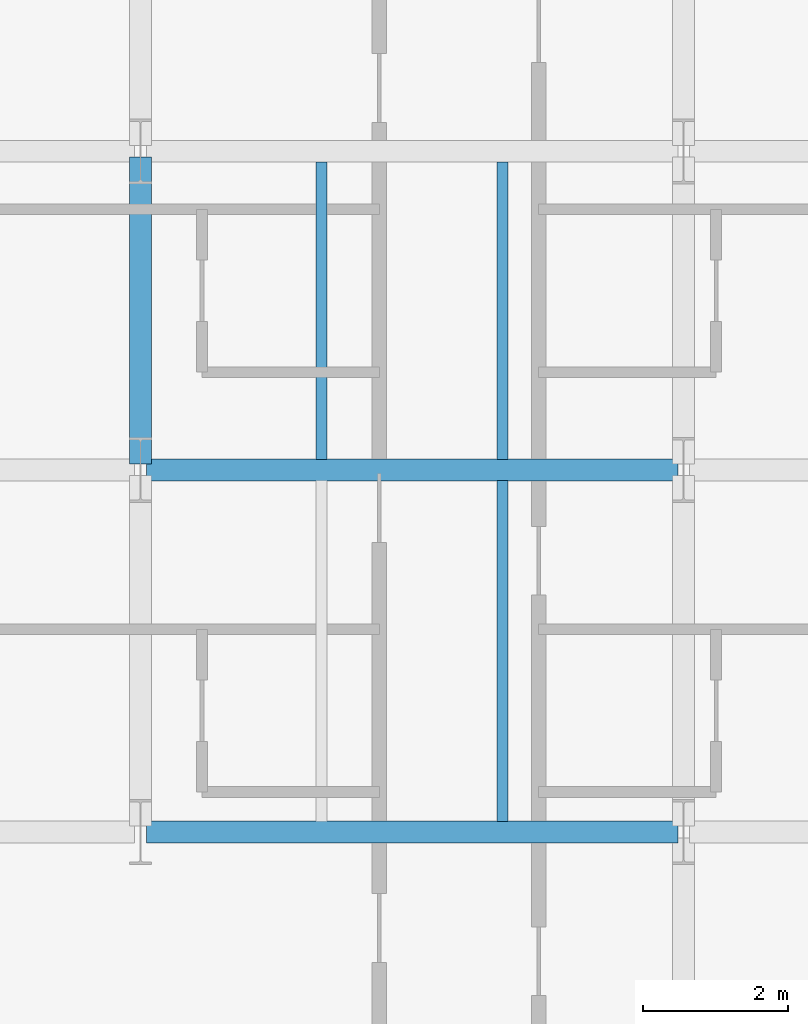
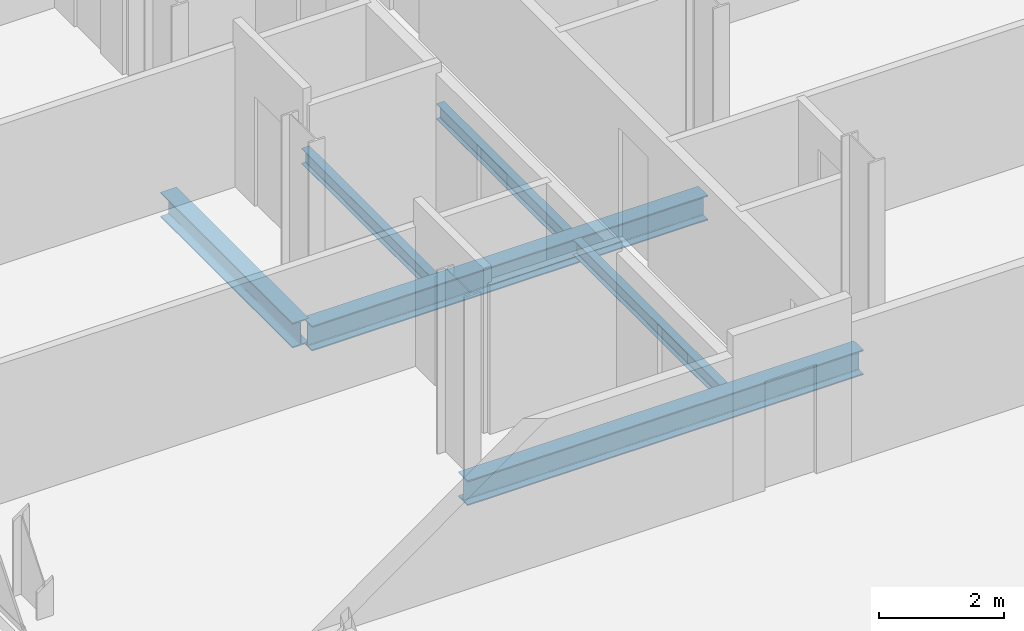
# One storey, part 6 of 33: 6 beams.
"""IFC4 building model written with IfcOpenShell, lengths in metres."""

from ifc_helpers import new_model, si_unit, direction, frame, origin, origin_2d, place, context, subcontext, project, spatial, i_section, extrude, material, material_profile, profile_set, type_object, element, save


model = new_model("IFC4")

# Units and contexts
model_context = context("Model", 3, precision=1e-05, world=origin(), true_north=direction((0.0, 1.0)))
body_context = subcontext(model_context, "Body", "Model", "MODEL_VIEW")
ifc_project = project(units=[si_unit("LENGTHUNIT", "METRE"), si_unit("AREAUNIT", "SQUARE_METRE"), si_unit("VOLUMEUNIT", "CUBIC_METRE"), si_unit("PLANEANGLEUNIT", "RADIAN"), si_unit("MASSUNIT", "GRAM", prefix="KILO")], contexts=[model_context])

# Site, building, storey
site_placement = place(None, origin())
site = spatial("IfcSite", under=ifc_project, at=site_placement, CompositionType="ELEMENT")
building_placement = place(site_placement, origin())
building = spatial("IfcBuilding", under=site, at=building_placement, Name="Catumbela Crestline Tower", CompositionType="ELEMENT")
storey_placement = place(building_placement, frame((0.0, 0.0, 76.2)))
storey = spatial("IfcBuildingStorey", under=building, at=storey_placement, Name="L19", CompositionType="ELEMENT", Elevation=76.2)

# Beams
ifc_material = material(Name="Structural steel S355J2", Category="steel")
ifc_material_profile_1 = material_profile(ifc_material, i_section(OverallWidth=0.3, OverallDepth=0.49, WebThickness=0.012, FlangeThickness=0.023, FilletRadius=0.027, at=origin_2d()), Name="HEA 500")
ifc_profile_set_1 = profile_set([ifc_material_profile_1], Name="Structural steel S355J2")
beam_type_1 = type_object("IfcBeamType", Name="BG-HEA500", PredefinedType="BEAM", material=ifc_profile_set_1)
for number, where, z_axis, x_axis, name in (
    (1, (8.58, 8.6, -0.505), (1.0, 0.0, 0.0), (0.0, 1.0, 0.0), "L19 Beam BM-L19-WEW49"),
    (2, (8.58, 13.6, -0.505), (1.0, 0.0, 0.0), (0.0, 1.0, 0.0), "L19 Beam BM-L19-WEW52"),
):
    element("IfcBeam", number, at=place(storey_placement, frame(where, z_axis=z_axis, x_axis=x_axis)), inside=storey, type_object=beam_type_1, Name=name, PredefinedType="BEAM", context=body_context, shape_type="SweptSolid", body=[
        extrude(i_section(OverallWidth=0.3, OverallDepth=0.49, WebThickness=0.012, FlangeThickness=0.023, FilletRadius=0.027, at=origin_2d()), origin(), (0.0, 0.0, 1.0), 7.34),
    ])
beam_1_placement = place(storey_placement, frame((8.5, 13.68, -0.505), z_axis=(0.0, 1.0, 0.0), x_axis=(-1.0, 0.0, 0.0)))
element("IfcBeam", 3, at=beam_1_placement, inside=storey, type_object=beam_type_1, Name="L19 Beam BM-L19-WNS62", PredefinedType="BEAM", context=body_context, shape_type="SweptSolid", body=[
    extrude(i_section(OverallWidth=0.3, OverallDepth=0.49, WebThickness=0.012, FlangeThickness=0.023, FilletRadius=0.027, at=origin_2d()), origin(), (0.0, 0.0, 1.0), 4.24),
])
ifc_material_profile_2 = material_profile(ifc_material, i_section(OverallWidth=0.15, OverallDepth=0.3, WebThickness=0.0071, FlangeThickness=0.0107, FilletRadius=0.015, at=origin_2d()), Name="IPE 300")
ifc_profile_set_2 = profile_set([ifc_material_profile_2], Name="Structural steel S355J2")
beam_type_2 = type_object("IfcBeamType", Name="BJ-IPE300", PredefinedType="JOIST", material=ifc_profile_set_2)
beam_2_placement = place(storey_placement, frame((13.5, 8.747, -0.41), z_axis=(0.0, 1.0, 0.0), x_axis=(-1.0, 0.0, 0.0)))
element("IfcBeam", 4, at=beam_2_placement, inside=storey, type_object=beam_type_2, Name="L19 Joist JS-L19-WG73", PredefinedType="JOIST", context=body_context, shape_type="SweptSolid", body=[
    extrude(i_section(OverallWidth=0.15, OverallDepth=0.3, WebThickness=0.0071, FlangeThickness=0.0107, FilletRadius=0.015, at=origin_2d()), origin(), (0.0, 0.0, 1.0), 4.706),
])
for number, where, z_axis, x_axis, name in (
    (5, (11.0, 13.747, -0.41), (0.0, 1.0, 0.0), (-1.0, 0.0, 0.0), "L19 Joist JS-L19-WG78"),
    (6, (13.5, 13.747, -0.41), (0.0, 1.0, 0.0), (-1.0, 0.0, 0.0), "L19 Joist JS-L19-WG79"),
):
    element("IfcBeam", number, at=place(storey_placement, frame(where, z_axis=z_axis, x_axis=x_axis)), inside=storey, type_object=beam_type_2, Name=name, PredefinedType="JOIST", context=body_context, shape_type="SweptSolid", body=[
        extrude(i_section(OverallWidth=0.15, OverallDepth=0.3, WebThickness=0.0071, FlangeThickness=0.0107, FilletRadius=0.015, at=origin_2d()), origin(), (0.0, 0.0, 1.0), 4.106),
    ])

save(model, "model.ifc")
